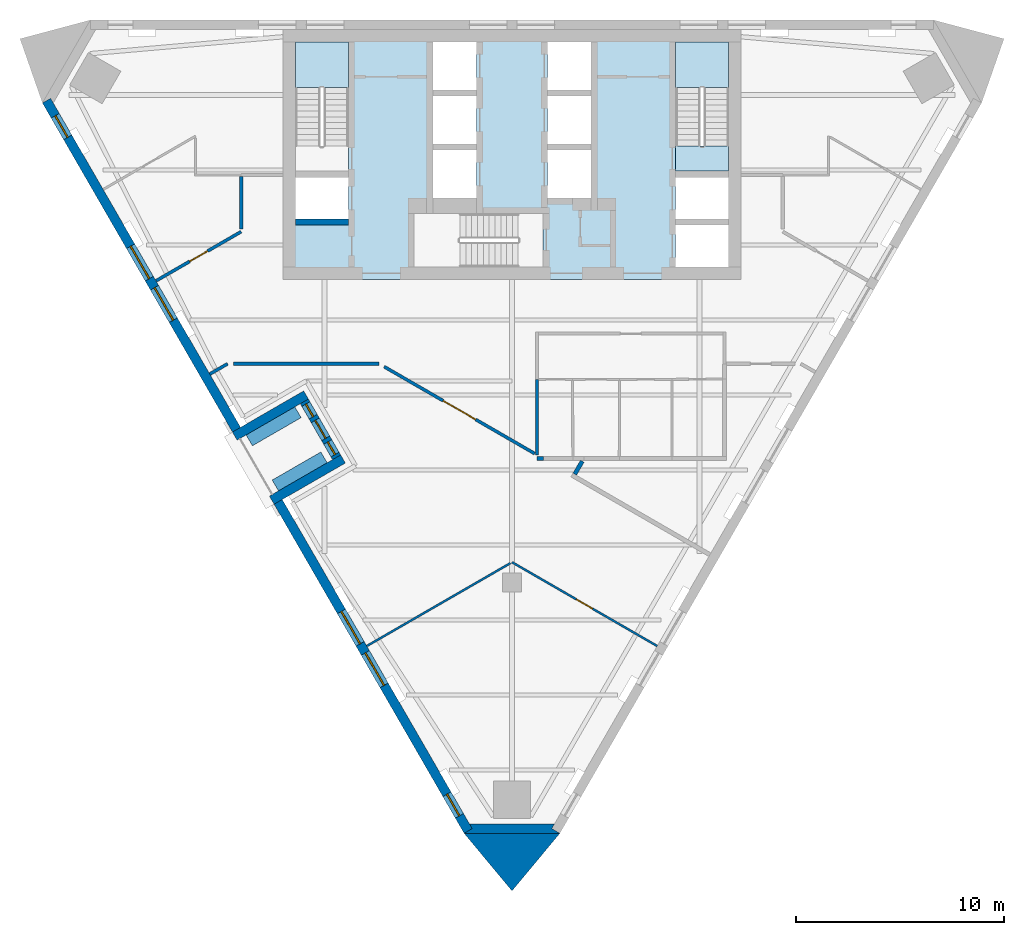
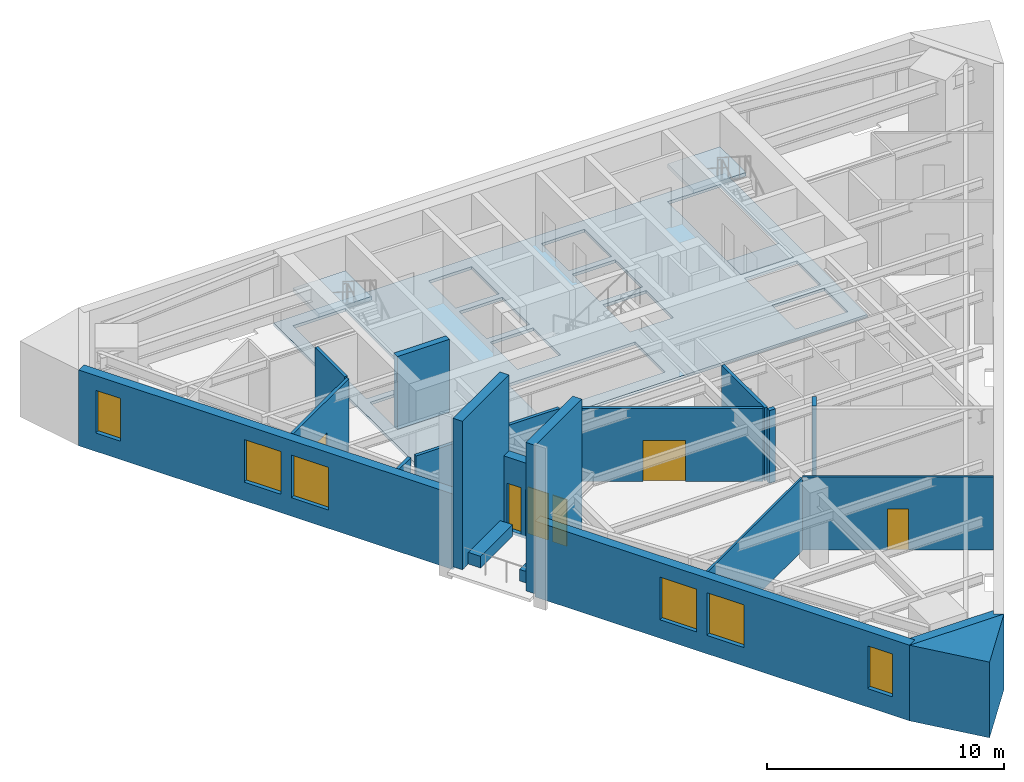
# One storey, part 2 of 7: 20 walls, 8 windows, 4 doors, 4 slabs, 12 openings, 2 elements without a shape of their own.
"""IFC4 building model written with IfcOpenShell, lengths in metres."""

from ifc_helpers import new_model, si_unit, direction, frame, frame_2d, origin, place, context, subcontext, project, spatial, polyline, rectangle, outline, extrude, material, layer, layer_set, type_object, element, fill, aggregate, save


model = new_model("IFC4")

# Units and contexts
model_context = context("Model", 3, precision=1e-05, world=origin(), true_north=direction((0.0, 1.0)))
body_context = subcontext(model_context, "Body", "Model", "MODEL_VIEW")
ifc_project = project(units=[si_unit("LENGTHUNIT", "METRE"), si_unit("AREAUNIT", "SQUARE_METRE"), si_unit("VOLUMEUNIT", "CUBIC_METRE"), si_unit("PLANEANGLEUNIT", "RADIAN"), si_unit("MASSUNIT", "GRAM", prefix="KILO")], contexts=[model_context])

# Site, building, storey
site_placement = place(None, origin())
site = spatial("IfcSite", under=ifc_project, at=site_placement, CompositionType="ELEMENT")
building_placement = place(site_placement, origin())
building = spatial("IfcBuilding", under=site, at=building_placement, Name="Aloe Facet Convention Tower", CompositionType="ELEMENT")
storey_placement = place(building_placement, frame((0.0, 0.0, 148.10009765625)))
storey = spatial("IfcBuildingStorey", under=building, at=storey_placement, Name="L37", CompositionType="ELEMENT", Elevation=148.10009765625)

# Slabs
ifc_material_1 = material(Name="Concrete C60/75", Category="concrete")
ifc_layer_1 = layer(ifc_material_1, 0.14990234375)
ifc_layer_set_1 = layer_set([ifc_layer_1], Name="CR-S-FLOOR150-C6075")
slab_type_1 = type_object("IfcSlabType", Name="CR-S-FLOOR150-C6075", PredefinedType="FLOOR", material=ifc_layer_set_1)
slab_1_placement = place(storey_placement, frame((0.0, 0.0, -0.150146484375)))
element("IfcSlab", 1, at=slab_1_placement, inside=storey, type_object=slab_type_1, Name="Core floor L37", PredefinedType="FLOOR", context=body_context, shape_type="SweptSolid", body=[
    extrude(outline(polyline([(71.85009765625, 134.550048828125), (72.75, 134.550048828125), (75.60009765625, 134.550048828125), (76.5, 134.550048828125), (78.0, 134.550048828125), (78.89990234375, 134.550048828125), (81.10009765625, 134.550048828125), (82.0, 134.550048828125), (83.5, 134.550048828125), (84.39990234375, 134.550048828125), (87.25, 134.550048828125), (88.14990234375, 134.550048828125), (91.0, 134.550048828125), (91.0, 128.050048828125), (91.0, 127.14990234375), (91.0, 125.75), (91.0, 124.85009765625), (91.0, 122.550048828125), (88.14990234375, 122.550048828125), (87.25, 122.550048828125), (85.300048828125, 122.550048828125), (84.39990234375, 122.550048828125), (82.10009765625, 122.550048828125), (81.199951171875, 122.550048828125), (75.60009765625, 122.550048828125), (74.699951171875, 122.550048828125), (72.75, 122.550048828125), (71.85009765625, 122.550048828125), (69.0, 122.550048828125), (69.0, 124.85009765625), (69.0, 125.75), (69.0, 127.14990234375), (69.0, 128.050048828125), (69.0, 134.550048828125), (71.85009765625, 134.550048828125)]), holes=[polyline([(80.298828125, 123.14990234375), (81.5, 123.14990234375), (81.5, 125.699951171875), (80.298828125, 125.699951171875), (75.300048828125, 125.699951171875), (75.300048828125, 123.14990234375), (80.298828125, 123.14990234375)]), polyline([(69.60009765625, 125.449951171875), (72.14990234375, 125.449951171875), (72.14990234375, 127.449951171875), (69.60009765625, 127.449951171875), (69.60009765625, 125.449951171875)]), polyline([(76.199951171875, 126.449951171875), (78.300048828125, 126.449951171875), (78.300048828125, 128.75), (76.199951171875, 128.75), (76.199951171875, 126.449951171875)]), polyline([(78.300048828125, 129.050048828125), (78.300048828125, 131.35009765625), (76.199951171875, 131.35009765625), (76.199951171875, 129.050048828125), (78.300048828125, 129.050048828125)]), polyline([(69.60009765625, 133.949951171875), (69.60009765625, 128.951171875), (69.60009765625, 127.75), (72.14990234375, 127.75), (72.14990234375, 128.951171875), (72.14990234375, 133.949951171875), (69.60009765625, 133.949951171875)]), polyline([(76.199951171875, 131.64990234375), (78.300048828125, 131.64990234375), (78.300048828125, 133.949951171875), (76.199951171875, 133.949951171875), (76.199951171875, 131.64990234375)]), polyline([(90.39990234375, 123.14990234375), (90.39990234375, 125.14990234375), (87.85009765625, 125.14990234375), (87.85009765625, 123.14990234375), (90.39990234375, 123.14990234375)]), polyline([(87.85009765625, 125.449951171875), (90.39990234375, 125.449951171875), (90.39990234375, 127.449951171875), (87.85009765625, 127.449951171875), (87.85009765625, 125.449951171875)]), polyline([(81.699951171875, 126.449951171875), (83.800048828125, 126.449951171875), (83.800048828125, 128.75), (81.699951171875, 128.75), (81.699951171875, 126.449951171875)]), polyline([(83.800048828125, 129.050048828125), (83.800048828125, 131.35009765625), (81.699951171875, 131.35009765625), (81.699951171875, 129.050048828125), (83.800048828125, 129.050048828125)]), polyline([(87.85009765625, 133.949951171875), (87.85009765625, 128.951171875), (87.85009765625, 127.75), (90.39990234375, 127.75), (90.39990234375, 128.951171875), (90.39990234375, 133.949951171875), (87.85009765625, 133.949951171875)]), polyline([(81.699951171875, 131.64990234375), (83.800048828125, 131.64990234375), (83.800048828125, 133.949951171875), (81.699951171875, 133.949951171875), (81.699951171875, 131.64990234375)])]), origin(), (0.0, 0.0, 1.0), 0.150146484375),
])
ifc_material_2 = material(Name="Concrete C60/75", Category="concrete")
ifc_layer_2 = layer(ifc_material_2, 0.300048828125)
ifc_layer_set_2 = layer_set([ifc_layer_2], Name="CR-S-FLOOR300-C6075")
slab_type_2 = type_object("IfcSlabType", Name="CR-S-FLOOR300-C6075", PredefinedType="FLOOR", material=ifc_layer_set_2)
slab_2_placement = place(storey_placement, frame((0.0, 0.0, -0.300048828125)))
element("IfcSlab", 2, at=slab_2_placement, inside=storey, type_object=slab_type_2, Name="Stair landing floor L37", PredefinedType="FLOOR", context=body_context, shape_type="SweptSolid", body=[
    extrude(outline(polyline([(90.39990234375, 127.75), (90.39990234375, 128.951171875), (87.85009765625, 128.951171875), (87.85009765625, 127.75), (90.39990234375, 127.75)])), origin(), (0.0, 0.0, 1.0), 0.300048828125),
])

# Stair, slab
ifc_material_3 = material(Name="Concrete C50/60", Category="concrete")
stair_type = type_object("IfcStairType", Name="CR-ST-22R", PredefinedType="HALF_TURN_STAIR", material=ifc_material_3)
stair_1_placement = place(storey_placement, origin())
stair_1 = element("IfcStair", 3, at=stair_1_placement, inside=storey, type_object=stair_type, Name="L37 Protected exit stair ST1", PredefinedType="HALF_TURN_STAIR")
ifc_material_4 = material(Name="Concrete C50/60", Category="concrete")
ifc_layer_3 = layer(ifc_material_4, 0.199951171875)
ifc_layer_set_3 = layer_set([ifc_layer_3], Name="CR-SL-LANDING")
slab_type_3 = type_object("IfcSlabType", Name="CR-SL-LANDING", PredefinedType="LANDING", material=ifc_layer_set_3)
slab_3_placement = place(storey_placement, frame((0.0, 0.0, 1.75)))
slab_3 = element("IfcSlab", 4, at=slab_3_placement, type_object=slab_type_3, Name="ST1 landing 1", PredefinedType="LANDING", context=body_context, shape_type="SweptSolid", body=[
    extrude(outline(polyline([(72.14990234375, 131.75), (72.14990234375, 133.949951171875), (69.60009765625, 133.949951171875), (69.60009765625, 131.75), (72.14990234375, 131.75)])), origin(), (0.0, 0.0, 1.0), 0.199951171875),
])
aggregate(stair_1, [slab_3])

stair_2_placement = place(storey_placement, origin())
stair_2 = element("IfcStair", 5, at=stair_2_placement, inside=storey, type_object=stair_type, Name="L37 Protected exit stair ST2", PredefinedType="HALF_TURN_STAIR")
slab_4_placement = place(storey_placement, frame((0.0, 0.0, 1.75)))
slab_4 = element("IfcSlab", 6, at=slab_4_placement, type_object=slab_type_3, Name="ST2 landing 1", PredefinedType="LANDING", context=body_context, shape_type="SweptSolid", body=[
    extrude(outline(polyline([(90.39990234375, 131.75), (90.39990234375, 133.949951171875), (87.85009765625, 133.949951171875), (87.85009765625, 131.75), (90.39990234375, 131.75)])), origin(), (0.0, 0.0, 1.0), 0.199951171875),
])
aggregate(stair_2, [slab_4])

# Walls
ifc_material_5 = material(Name="Concrete C60/75", Category="concrete")
ifc_layer_4 = layer(ifc_material_5, 0.300048828125)
ifc_layer_set_4 = layer_set([ifc_layer_4], Name="CR-W-RC300-C6075")
wall_type_1 = type_object("IfcWallType", Name="CR-W-RC300-C6075", PredefinedType="SOLIDWALL", material=ifc_layer_set_4)
wall_1_placement = place(storey_placement, frame((69.60009765625, 125.300048828125, 0.0), z_axis=(0.0, 0.0, 1.0), x_axis=(1.0, 0.0, 0.0)))
element("IfcWall", 7, at=wall_1_placement, inside=storey, type_object=wall_type_1, Name="Core wall L37-005", PredefinedType="SOLIDWALL", context=body_context, shape_type="SweptSolid", body=[
    extrude(rectangle(XDim=2.5498046875, YDim=0.300048828125, at=frame_2d((1.27490234375, 0.0))), origin(), (0.0, 0.0, 1.0), 3.75),
])
ifc_material_6 = material(Name="Precast concrete C40/50", Category="concrete")
ifc_layer_5 = layer(ifc_material_6, 0.60009765625)
ifc_layer_set_5 = layer_set([ifc_layer_5], Name="EV-PLANTER")
wall_type_2 = type_object("IfcWallType", Name="EV-PLANTER", PredefinedType="STANDARD", material=ifc_layer_set_5)
for number, where, z_axis, x_axis, name in (
    (8, (67.386474609375, 114.81787109375, 0.0), (0.0, 0.0, 1.0), (0.866059108428, 0.4999416173, 0.0), "PLANTER T08-1"),
    (9, (68.636474609375, 112.65283203125, 0.0), (0.0, 0.0, 1.0), (0.866059108428, 0.4999416173, 0.0), "PLANTER T08-2"),
):
    element("IfcWall", number, at=place(storey_placement, frame(where, z_axis=z_axis, x_axis=x_axis)), inside=storey, type_object=wall_type_2, Name=name, PredefinedType="STANDARD", context=body_context, shape_type="SweptSolid", body=[
        extrude(rectangle(XDim=2.699951171875, YDim=0.60009765625, at=frame_2d((1.35009765625, 0.0))), origin(), (0.0, 0.0, 1.0), 0.599853515625),
    ])
ifc_material_7 = material(Name="Precast concrete C40/50", Category="concrete")
ifc_layer_6 = layer(ifc_material_7, 0.449951171875)
ifc_layer_set_6 = layer_set([ifc_layer_6], Name="EV-WALL-PIER")
wall_type_3 = type_object("IfcWallType", Name="EV-WALL-PIER", PredefinedType="SOLIDWALL", material=ifc_layer_set_6)
wall_2_placement = place(storey_placement, frame((0.0, 0.0, -0.150146484375)))
element("IfcWall", 10, at=wall_2_placement, inside=storey, type_object=wall_type_3, Name="EP-L37-B", PredefinedType="SOLIDWALL", context=body_context, shape_type="SweptSolid", body=[
    extrude(outline(polyline([(77.699951171875, 95.954345703125), (78.089599609375, 96.17919921875), (77.959716796875, 96.404296875), (82.040283203125, 96.404296875), (81.910400390625, 96.17919921875), (82.300048828125, 95.954345703125), (77.699951171875, 95.954345703125)])), origin(), (0.0, 0.0, 1.0), 3.900146484375),
])
ifc_material_8 = material(Name="Precast concrete C40/50", Category="concrete")
ifc_layer_7 = layer(ifc_material_8, 3.947998046875)
ifc_layer_set_7 = layer_set([ifc_layer_7], Name="EV-WALL-SPINE")
wall_type_4 = type_object("IfcWallType", Name="EV-WALL-SPINE", PredefinedType="SOLIDWALL", material=ifc_layer_set_7)
wall_3_placement = place(storey_placement, frame((0.0, 0.0, -0.150146484375)))
element("IfcWall", 11, at=wall_3_placement, inside=storey, type_object=wall_type_4, Name="SP-S-L37", PredefinedType="SOLIDWALL", context=body_context, shape_type="SweptSolid", body=[
    extrude(outline(polyline([(77.699951171875, 95.954345703125), (80.0, 93.18701171875), (82.300048828125, 95.954345703125), (77.699951171875, 95.954345703125)])), origin(), (0.0, 0.0, 1.0), 3.900146484375),
])

# Wall, openings, windows
ifc_material_9 = material(Name="Precast concrete C40/50", Category="concrete")
ifc_layer_8 = layer(ifc_material_9, 0.449951171875)
ifc_layer_set_8 = layer_set([ifc_layer_8], Name="EV-WALL-STONE")
wall_type_5 = type_object("IfcWallType", Name="EV-WALL-STONE", PredefinedType="SOLIDWALL", material=ifc_layer_set_8)
wall_4_placement = place(storey_placement, frame((57.65185546875, 131.128662109375, -0.150146484375), z_axis=(0.0, 0.0, 1.0), x_axis=(0.50000511266, -0.866022451969, 0.0)))
wall_4 = element("IfcWall", 12, at=wall_4_placement, inside=storey, type_object=wall_type_5, Name="EW-L37-W01", PredefinedType="SOLIDWALL", context=body_context, shape_type="SweptSolid", body=[
    extrude(outline(polyline([(0.0, 0.0), (0.0, 3.900146484375), (18.2431640625, 3.900146484375), (18.2431640625, 0.0), (0.0, 0.0)])), frame((0.0, 0.22509765625, 0.0), z_axis=(0.0, -1.0, 0.0), x_axis=(1.0, 0.0, 0.0)), (0.0, 0.0, 1.0), 0.449951171875),
])
opening_1_placement = place(wall_4_placement, frame((0.83740234375, 0.0, 0.949951171875)))
opening_1 = element("IfcOpeningElement", 13, at=opening_1_placement, cuts=wall_4, Name="Opening W-L37-W01", PredefinedType="OPENING", context=body_context, shape_type="SweptSolid", body=[
    extrude(rectangle(XDim=1.199951171875, YDim=2.199951171875, at=frame_2d((0.60009765625, 1.10009765625))), frame((0.0, 0.23486328125, 0.0), z_axis=(0.0, -1.0, 0.0), x_axis=(1.0, 0.0, 0.0)), (0.0, 0.0, 1.0), 0.469970703125),
])
opening_2_placement = place(wall_4_placement, frame((8.071533203125, 0.0, 0.949951171875)))
opening_2 = element("IfcOpeningElement", 14, at=opening_2_placement, cuts=wall_4, Name="Opening W-L37-W02", PredefinedType="OPENING", context=body_context, shape_type="SweptSolid", body=[
    extrude(rectangle(XDim=1.800048828125, YDim=2.199951171875, at=frame_2d((0.89990234375, 1.10009765625))), frame((0.0, 0.23486328125, 0.0), z_axis=(0.0, -1.0, 0.0), x_axis=(1.0, 0.0, 0.0)), (0.0, 0.0, 1.0), 0.469970703125),
])
opening_3_placement = place(wall_4_placement, frame((10.37158203125, 0.0, 0.949951171875)))
opening_3 = element("IfcOpeningElement", 15, at=opening_3_placement, cuts=wall_4, Name="Opening W-L37-W03", PredefinedType="OPENING", context=body_context, shape_type="SweptSolid", body=[
    extrude(rectangle(XDim=1.800048828125, YDim=2.199951171875, at=frame_2d((0.89990234375, 1.10009765625))), frame((0.0, 0.23486328125, 0.0), z_axis=(0.0, -1.0, 0.0), x_axis=(1.0, 0.0, 0.0)), (0.0, 0.0, 1.0), 0.469970703125),
])
ifc_material_10 = material(Name="Aluminium frame, clear double glazing", Category="aluminium")
window_type_1 = type_object("IfcWindowType", Name="EV-WIN-O12", PartitioningType="SINGLE_PANEL", PredefinedType="WINDOW", material=ifc_material_10)
window_1_placement = place(opening_1_placement, origin())
window_1 = element("IfcWindow", 16, at=window_1_placement, inside=storey, type_object=window_type_1, Name="W-L37-W01", OverallHeight=2.199951171875, OverallWidth=1.199951171875, PartitioningType="SINGLE_PANEL", PredefinedType="WINDOW", context=body_context, shape_type="SweptSolid", body=[
    extrude(rectangle(XDim=1.199951171875, YDim=2.199951171875, at=frame_2d((0.60009765625, 1.10009765625))), frame((0.0, 0.030029296875, 0.0), z_axis=(0.0, -1.0, 0.0), x_axis=(1.0, 0.0, 0.0)), (0.0, 0.0, 1.0), 0.06005859375),
])
fill(opening_1, window_1)
ifc_material_11 = material(Name="Aluminium frame, clear double glazing", Category="aluminium")
window_type_2 = type_object("IfcWindowType", Name="EV-WIN-O18", PartitioningType="SINGLE_PANEL", PredefinedType="WINDOW", material=ifc_material_11)
window_2_placement = place(opening_2_placement, origin())
window_2 = element("IfcWindow", 17, at=window_2_placement, inside=storey, type_object=window_type_2, Name="W-L37-W02", OverallHeight=2.199951171875, OverallWidth=1.800048828125, PartitioningType="SINGLE_PANEL", PredefinedType="WINDOW", context=body_context, shape_type="SweptSolid", body=[
    extrude(rectangle(XDim=1.800048828125, YDim=2.199951171875, at=frame_2d((0.89990234375, 1.10009765625))), frame((0.0, 0.030029296875, 0.0), z_axis=(0.0, -1.0, 0.0), x_axis=(1.0, 0.0, 0.0)), (0.0, 0.0, 1.0), 0.06005859375),
])
fill(opening_2, window_2)
window_3_placement = place(opening_3_placement, origin())
window_3 = element("IfcWindow", 18, at=window_3_placement, inside=storey, type_object=window_type_2, Name="W-L37-W03", OverallHeight=2.199951171875, OverallWidth=1.800048828125, PartitioningType="SINGLE_PANEL", PredefinedType="WINDOW", context=body_context, shape_type="SweptSolid", body=[
    extrude(rectangle(XDim=1.800048828125, YDim=2.199951171875, at=frame_2d((0.89990234375, 1.10009765625))), frame((0.0, 0.030029296875, 0.0), z_axis=(0.0, -1.0, 0.0), x_axis=(1.0, 0.0, 0.0)), (0.0, 0.0, 1.0), 0.06005859375),
])
fill(opening_3, window_3)

wall_5_placement = place(storey_placement, frame((68.7734375, 111.86572265625, -0.150146484375), z_axis=(0.0, 0.0, 1.0), x_axis=(0.499989280757, -0.866031592454, 0.0)))
wall_5 = element("IfcWall", 19, at=wall_5_placement, inside=storey, type_object=wall_type_5, Name="EW-L37-W02", PredefinedType="SOLIDWALL", context=body_context, shape_type="SweptSolid", body=[
    extrude(outline(polyline([(18.2431640625, 3.900146484375), (18.2431640625, 0.0), (0.0, 0.0), (0.0, 3.900146484375), (18.2431640625, 3.900146484375)])), frame((0.0, 0.22509765625, 0.0), z_axis=(0.0, -1.0, 0.0), x_axis=(1.0, 0.0, 0.0)), (0.0, 0.0, 1.0), 0.449951171875),
])
opening_4_placement = place(wall_5_placement, frame((6.071533203125, 0.0, 0.949951171875)))
opening_4 = element("IfcOpeningElement", 20, at=opening_4_placement, cuts=wall_5, Name="Opening W-L37-W04", PredefinedType="OPENING", context=body_context, shape_type="SweptSolid", body=[
    extrude(rectangle(XDim=1.800048828125, YDim=2.199951171875, at=frame_2d((0.89990234375, 1.10009765625))), frame((0.0, 0.23486328125, 0.0), z_axis=(0.0, -1.0, 0.0), x_axis=(1.0, 0.0, 0.0)), (0.0, 0.0, 1.0), 0.469970703125),
])
opening_5_placement = place(wall_5_placement, frame((8.37158203125, 0.0, 0.949951171875)))
opening_5 = element("IfcOpeningElement", 21, at=opening_5_placement, cuts=wall_5, Name="Opening W-L37-W05", PredefinedType="OPENING", context=body_context, shape_type="SweptSolid", body=[
    extrude(rectangle(XDim=1.800048828125, YDim=2.199951171875, at=frame_2d((0.89990234375, 1.10009765625))), frame((0.0, 0.23486328125, 0.0), z_axis=(0.0, -1.0, 0.0), x_axis=(1.0, 0.0, 0.0)), (0.0, 0.0, 1.0), 0.469970703125),
])
opening_6_placement = place(wall_5_placement, frame((16.205810546875, 0.0, 0.949951171875)))
opening_6 = element("IfcOpeningElement", 22, at=opening_6_placement, cuts=wall_5, Name="Opening W-L37-W06", PredefinedType="OPENING", context=body_context, shape_type="SweptSolid", body=[
    extrude(rectangle(XDim=1.199951171875, YDim=2.199951171875, at=frame_2d((0.60009765625, 1.10009765625))), frame((0.0, 0.23486328125, 0.0), z_axis=(0.0, -1.0, 0.0), x_axis=(1.0, 0.0, 0.0)), (0.0, 0.0, 1.0), 0.469970703125),
])
window_4_placement = place(opening_6_placement, origin())
window_4 = element("IfcWindow", 23, at=window_4_placement, inside=storey, type_object=window_type_1, Name="W-L37-W06", OverallHeight=2.199951171875, OverallWidth=1.199951171875, PartitioningType="SINGLE_PANEL", PredefinedType="WINDOW", context=body_context, shape_type="SweptSolid", body=[
    extrude(rectangle(XDim=1.199951171875, YDim=2.199951171875, at=frame_2d((0.60009765625, 1.10009765625))), frame((0.0, 0.030029296875, 0.0), z_axis=(0.0, -1.0, 0.0), x_axis=(1.0, 0.0, 0.0)), (0.0, 0.0, 1.0), 0.06005859375),
])
fill(opening_6, window_4)
window_5_placement = place(opening_4_placement, origin())
window_5 = element("IfcWindow", 24, at=window_5_placement, inside=storey, type_object=window_type_2, Name="W-L37-W04", OverallHeight=2.199951171875, OverallWidth=1.800048828125, PartitioningType="SINGLE_PANEL", PredefinedType="WINDOW", context=body_context, shape_type="SweptSolid", body=[
    extrude(rectangle(XDim=1.800048828125, YDim=2.199951171875, at=frame_2d((0.89990234375, 1.10009765625))), frame((0.0, 0.030029296875, 0.0), z_axis=(0.0, -1.0, 0.0), x_axis=(1.0, 0.0, 0.0)), (0.0, 0.0, 1.0), 0.06005859375),
])
fill(opening_4, window_5)
window_6_placement = place(opening_5_placement, origin())
window_6 = element("IfcWindow", 25, at=window_6_placement, inside=storey, type_object=window_type_2, Name="W-L37-W05", OverallHeight=2.199951171875, OverallWidth=1.800048828125, PartitioningType="SINGLE_PANEL", PredefinedType="WINDOW", context=body_context, shape_type="SweptSolid", body=[
    extrude(rectangle(XDim=1.800048828125, YDim=2.199951171875, at=frame_2d((0.89990234375, 1.10009765625))), frame((0.0, 0.030029296875, 0.0), z_axis=(0.0, -1.0, 0.0), x_axis=(1.0, 0.0, 0.0)), (0.0, 0.0, 1.0), 0.06005859375),
])
fill(opening_5, window_6)

# Walls
wall_6_placement = place(storey_placement, frame((66.69091796875, 115.0224609375, 0.0), z_axis=(0.0, 0.0, 1.0), x_axis=(0.866020906874, 0.500007788796, 0.0)))
element("IfcWall", 26, at=wall_6_placement, inside=storey, type_object=wall_type_5, Name="TW-T08-1", PredefinedType="SOLIDWALL", context=body_context, shape_type="SweptSolid", body=[
    extrude(rectangle(XDim=3.9501953125, YDim=0.449951171875, at=frame_2d((1.97509765625, 0.0))), origin(), (0.0, 0.0, 1.0), 7.64990234375),
])
wall_7_placement = place(storey_placement, frame((68.466064453125, 111.947998046875, 0.0), z_axis=(0.0, 0.0, 1.0), x_axis=(0.866005453737, 0.500034552904, 0.0)))
element("IfcWall", 27, at=wall_7_placement, inside=storey, type_object=wall_type_5, Name="TW-T08-2", PredefinedType="SOLIDWALL", context=body_context, shape_type="SweptSolid", body=[
    extrude(rectangle(XDim=3.949951171875, YDim=0.449951171875, at=frame_2d((1.97509765625, 0.0))), origin(), (0.0, 0.0, 1.0), 7.64990234375),
])

# Wall, openings, door, windows
wall_8_placement = place(storey_placement, frame((70.029296875, 116.690185546875, -0.150146484375), z_axis=(0.0, 0.0, 1.0), x_axis=(0.49999285859, -0.86602952684, 0.0)))
wall_8 = element("IfcWall", 28, at=wall_8_placement, inside=storey, type_object=wall_type_5, Name="TB-T08-L37", PredefinedType="SOLIDWALL", context=body_context, shape_type="SweptSolid", body=[
    extrude(rectangle(XDim=3.10009765625, YDim=0.449951171875, at=frame_2d((1.550048828125, 0.0))), origin(), (0.0, 0.0, 1.0), 3.900146484375),
])
opening_7_placement = place(wall_8_placement, frame((1.050048828125, 0.0, 0.14990234375)))
opening_7 = element("IfcOpeningElement", 29, at=opening_7_placement, cuts=wall_8, Name="Opening D-T08", PredefinedType="OPENING", context=body_context, shape_type="SweptSolid", body=[
    extrude(rectangle(XDim=1.0, YDim=2.39990234375, at=frame_2d((0.5, 1.199951171875))), frame((0.0, 0.23486328125, 0.0), z_axis=(0.0, -1.0, 0.0), x_axis=(1.0, 0.0, 0.0)), (0.0, 0.0, 1.0), 0.469970703125),
])
opening_8_placement = place(wall_8_placement, frame((0.14990234375, 0.0, 0.14990234375)))
opening_8 = element("IfcOpeningElement", 30, at=opening_8_placement, cuts=wall_8, Name="Opening G-T08-1", PredefinedType="OPENING", context=body_context, shape_type="SweptSolid", body=[
    extrude(rectangle(XDim=0.699951171875, YDim=2.39990234375, at=frame_2d((0.35009765625, 1.199951171875))), frame((0.0, 0.23486328125, 0.0), z_axis=(0.0, -1.0, 0.0), x_axis=(1.0, 0.0, 0.0)), (0.0, 0.0, 1.0), 0.469970703125),
])
opening_9_placement = place(wall_8_placement, frame((2.25, 0.0, 0.14990234375)))
opening_9 = element("IfcOpeningElement", 31, at=opening_9_placement, cuts=wall_8, Name="Opening G-T08-2", PredefinedType="OPENING", context=body_context, shape_type="SweptSolid", body=[
    extrude(rectangle(XDim=0.699951171875, YDim=2.39990234375, at=frame_2d((0.35009765625, 1.199951171875))), frame((0.0, 0.23486328125, 0.0), z_axis=(0.0, -1.0, 0.0), x_axis=(1.0, 0.0, 0.0)), (0.0, 0.0, 1.0), 0.469970703125),
])
ifc_material_12 = material(Name="Aluminium frame, clear double glazing", Category="aluminium")
door_type_1 = type_object("IfcDoorType", Name="EV-DOOR-TERR", OperationType="SINGLE_SWING_LEFT", PredefinedType="DOOR", material=ifc_material_12)
door_1_placement = place(opening_7_placement, origin())
door_1 = element("IfcDoor", 32, at=door_1_placement, inside=storey, type_object=door_type_1, Name="D-T08", OperationType="SINGLE_SWING_LEFT", OverallHeight=2.39990234375, OverallWidth=1.0, PredefinedType="DOOR", context=body_context, shape_type="SweptSolid", body=[
    extrude(rectangle(XDim=1.0, YDim=2.39990234375, at=frame_2d((0.5, 1.199951171875))), frame((0.0, 0.02490234375, 0.0), z_axis=(0.0, -1.0, 0.0), x_axis=(1.0, 0.0, 0.0)), (0.0, 0.0, 1.0), 0.050048828125),
])
fill(opening_7, door_1)
ifc_material_13 = material(Name="Aluminium frame, clear double glazing", Category="aluminium")
window_type_3 = type_object("IfcWindowType", Name="EV-WIN-SL70", PartitioningType="SINGLE_PANEL", PredefinedType="WINDOW", material=ifc_material_13)
window_7_placement = place(opening_8_placement, origin())
window_7 = element("IfcWindow", 33, at=window_7_placement, inside=storey, type_object=window_type_3, Name="G-T08-1", OverallHeight=2.39990234375, OverallWidth=0.699951171875, PartitioningType="SINGLE_PANEL", PredefinedType="WINDOW", context=body_context, shape_type="SweptSolid", body=[
    extrude(rectangle(XDim=0.699951171875, YDim=2.39990234375, at=frame_2d((0.35009765625, 1.199951171875))), frame((0.0, 0.030029296875, 0.0), z_axis=(0.0, -1.0, 0.0), x_axis=(1.0, 0.0, 0.0)), (0.0, 0.0, 1.0), 0.06005859375),
])
fill(opening_8, window_7)
window_8_placement = place(opening_9_placement, origin())
window_8 = element("IfcWindow", 34, at=window_8_placement, inside=storey, type_object=window_type_3, Name="G-T08-2", OverallHeight=2.39990234375, OverallWidth=0.699951171875, PartitioningType="SINGLE_PANEL", PredefinedType="WINDOW", context=body_context, shape_type="SweptSolid", body=[
    extrude(rectangle(XDim=0.699951171875, YDim=2.39990234375, at=frame_2d((0.35009765625, 1.199951171875))), frame((0.0, 0.030029296875, 0.0), z_axis=(0.0, -1.0, 0.0), x_axis=(1.0, 0.0, 0.0)), (0.0, 0.0, 1.0), 0.06005859375),
])
fill(opening_9, window_8)

# Walls
ifc_material_14 = material(Name="Gypsum board partition on steel studs", Category="steel")
ifc_layer_9 = layer(ifc_material_14, 0.14990234375)
ifc_layer_set_9 = layer_set([ifc_layer_9], Name="IN-W-CORR")
wall_type_6 = type_object("IfcWallType", Name="IN-W-CORR", PredefinedType="PARTITIONING", material=ifc_layer_set_9)
wall_9_placement = place(storey_placement, frame((81.199951171875, 114.120361328125, 0.0), z_axis=(0.0, 0.0, 1.0), x_axis=(0.0, 1.0, 0.0)))
element("IfcWall", 35, at=wall_9_placement, inside=storey, type_object=wall_type_6, Name="Partition L37-W021", PredefinedType="PARTITIONING", context=body_context, shape_type="SweptSolid", body=[
    extrude(rectangle(XDim=3.629638671875, YDim=0.14990234375, at=frame_2d((1.81494140625, 0.0))), origin(), (0.0, 0.0, 1.0), 3.75),
])
wall_10_placement = place(storey_placement, frame((65.490966796875, 118.000732421875, 0.0), z_axis=(0.0, 0.0, 1.0), x_axis=(0.866017078145, 0.500014420154, 0.0)))
element("IfcWall", 36, at=wall_10_placement, inside=storey, type_object=wall_type_6, Name="Partition L37-W022", PredefinedType="PARTITIONING", context=body_context, shape_type="SweptSolid", body=[
    extrude(rectangle(XDim=0.9892578125, YDim=0.14990234375, at=frame_2d((0.49462890625, 0.0))), origin(), (0.0, 0.0, 1.0), 3.75),
])
wall_11_placement = place(storey_placement, frame((66.62744140625, 118.495361328125, 0.0), z_axis=(0.0, 0.0, 1.0), x_axis=(1.0, 0.0, 0.0)))
element("IfcWall", 37, at=wall_11_placement, inside=storey, type_object=wall_type_6, Name="Partition L37-W024", PredefinedType="PARTITIONING", context=body_context, shape_type="SweptSolid", body=[
    extrude(rectangle(XDim=6.994873046875, YDim=0.14990234375, at=frame_2d((3.49755859375, 0.0))), origin(), (0.0, 0.0, 1.0), 3.75),
])

# Wall, opening, door
wall_12_placement = place(storey_placement, frame((73.864501953125, 118.35546875, 0.0), z_axis=(0.0, 0.0, 1.0), x_axis=(0.866024234027, -0.500002026074, 0.0)))
wall_12 = element("IfcWall", 38, at=wall_12_placement, inside=storey, type_object=wall_type_6, Name="Partition L37-W025", PredefinedType="PARTITIONING", context=body_context, shape_type="SweptSolid", body=[
    extrude(rectangle(XDim=8.34033203125, YDim=0.14990234375, at=frame_2d((4.170166015625, 0.0))), origin(), (0.0, 0.0, 1.0), 3.75),
])
opening_10_placement = place(wall_12_placement, frame((3.27001953125, 0.0, 0.0)))
opening_10 = element("IfcOpeningElement", 39, at=opening_10_placement, cuts=wall_12, Name="Opening L37-012", PredefinedType="OPENING", context=body_context, shape_type="SweptSolid", body=[
    extrude(rectangle(XDim=1.800048828125, YDim=2.10009765625, at=frame_2d((0.89990234375, 1.050048828125))), frame((0.0, 0.0849609375, 0.0), z_axis=(0.0, -1.0, 0.0), x_axis=(1.0, 0.0, 0.0)), (0.0, 0.0, 1.0), 0.169921875),
])
ifc_material_15 = material(Name="Glazed timber door pair FD30S", Category="wood")
door_type_2 = type_object("IfcDoorType", Name="IN-OFF-D-SUITE", OperationType="DOUBLE_DOOR_SINGLE_SWING", PredefinedType="DOOR", material=ifc_material_15)
door_2_placement = place(opening_10_placement, origin())
door_2 = element("IfcDoor", 40, at=door_2_placement, inside=storey, type_object=door_type_2, Name="Door L37-012", OperationType="SINGLE_SWING_LEFT", OverallHeight=2.10009765625, OverallWidth=1.800048828125, PredefinedType="DOOR", context=body_context, shape_type="SweptSolid", body=[
    extrude(rectangle(XDim=1.800048828125, YDim=2.10009765625, at=frame_2d((0.89990234375, 1.050048828125))), frame((0.0, 0.02490234375, 0.0), z_axis=(0.0, -1.0, 0.0), x_axis=(1.0, 0.0, 0.0)), (0.0, 0.0, 1.0), 0.050048828125),
])
fill(opening_10, door_2)

wall_13_placement = place(storey_placement, frame((62.916015625, 122.480712890625, 0.0), z_axis=(0.0, 0.0, 1.0), x_axis=(0.866016566931, 0.500015305566, 0.0)))
wall_13 = element("IfcWall", 41, at=wall_13_placement, inside=storey, type_object=wall_type_6, Name="Partition L37-W030", PredefinedType="PARTITIONING", context=body_context, shape_type="SweptSolid", body=[
    extrude(rectangle(XDim=4.714599609375, YDim=0.14990234375, at=frame_2d((2.357421875, 0.0))), origin(), (0.0, 0.0, 1.0), 3.75),
])
opening_11_placement = place(wall_13_placement, frame((1.857177734375, 0.0, 0.0)))
opening_11 = element("IfcOpeningElement", 42, at=opening_11_placement, cuts=wall_13, Name="Opening L37-008", PredefinedType="OPENING", context=body_context, shape_type="SweptSolid", body=[
    extrude(rectangle(XDim=1.0, YDim=2.10009765625, at=frame_2d((0.5, 1.050048828125))), frame((0.0, 0.0849609375, 0.0), z_axis=(0.0, -1.0, 0.0), x_axis=(1.0, 0.0, 0.0)), (0.0, 0.0, 1.0), 0.169921875),
])
ifc_material_16 = material(Name="Timber door FD30S with vision panel", Category="wood")
door_type_3 = type_object("IfcDoorType", Name="IN-OFF-D-ENTRY", OperationType="SINGLE_SWING_LEFT", PredefinedType="DOOR", material=ifc_material_16)
door_3_placement = place(opening_11_placement, origin())
door_3 = element("IfcDoor", 43, at=door_3_placement, inside=storey, type_object=door_type_3, Name="Door L37-008", OperationType="SINGLE_SWING_LEFT", OverallHeight=2.10009765625, OverallWidth=1.0, PredefinedType="DOOR", context=body_context, shape_type="SweptSolid", body=[
    extrude(rectangle(XDim=1.0, YDim=2.10009765625, at=frame_2d((0.5, 1.050048828125))), frame((0.0, 0.02490234375, 0.0), z_axis=(0.0, -1.0, 0.0), x_axis=(1.0, 0.0, 0.0)), (0.0, 0.0, 1.0), 0.050048828125),
])
fill(opening_11, door_3)

# Wall
wall_14_placement = place(storey_placement, frame((66.9990234375, 124.968017578125, 0.0), z_axis=(0.0, 0.0, 1.0), x_axis=(0.000389559768, 0.999999924122, 0.0)))
element("IfcWall", 44, at=wall_14_placement, inside=storey, type_object=wall_type_6, Name="Partition L37-W032", PredefinedType="PARTITIONING", context=body_context, shape_type="SweptSolid", body=[
    extrude(rectangle(XDim=2.5068359375, YDim=0.14990234375, at=frame_2d((1.25341796875, 0.0))), origin(), (0.0, 0.0, 1.0), 3.75),
])

# Wall, opening, door
ifc_material_17 = material(Name="Gypsum board partition on steel studs", Category="steel")
ifc_layer_10 = layer(ifc_material_17, 0.10009765625)
ifc_layer_set_10 = layer_set([ifc_layer_10], Name="IN-W-PART")
wall_type_7 = type_object("IfcWallType", Name="IN-W-PART", PredefinedType="PARTITIONING", material=ifc_layer_set_10)
wall_15_placement = place(storey_placement, frame((80.0009765625, 108.968994140625, 0.0), z_axis=(0.0, 0.0, 1.0), x_axis=(0.866022419898, -0.500005168208, 0.0)))
wall_15 = element("IfcWall", 45, at=wall_15_placement, inside=storey, type_object=wall_type_7, Name="Partition L37-W001", PredefinedType="PARTITIONING", context=body_context, shape_type="SweptSolid", body=[
    extrude(rectangle(XDim=8.04833984375, YDim=0.10009765625, at=frame_2d((4.024169921875, 0.0))), origin(), (0.0, 0.0, 1.0), 3.75),
])
opening_12_placement = place(wall_15_placement, frame((3.57421875, 0.0, 0.0)))
opening_12 = element("IfcOpeningElement", 46, at=opening_12_placement, cuts=wall_15, Name="Opening L37-011", PredefinedType="OPENING", context=body_context, shape_type="SweptSolid", body=[
    extrude(rectangle(XDim=0.89990234375, YDim=2.10009765625, at=frame_2d((0.449951171875, 1.050048828125))), frame((0.0, 0.06005859375, 0.0), z_axis=(0.0, -1.0, 0.0), x_axis=(1.0, 0.0, 0.0)), (0.0, 0.0, 1.0), 0.1201171875),
])
ifc_material_18 = material(Name="Timber door", Category="wood")
door_type_4 = type_object("IfcDoorType", Name="IN-OFF-D-ROOM", OperationType="SINGLE_SWING_LEFT", PredefinedType="DOOR", material=ifc_material_18)
door_4_placement = place(opening_12_placement, origin())
door_4 = element("IfcDoor", 47, at=door_4_placement, inside=storey, type_object=door_type_4, Name="Door L37-011", OperationType="SINGLE_SWING_LEFT", OverallHeight=2.10009765625, OverallWidth=0.89990234375, PredefinedType="DOOR", context=body_context, shape_type="SweptSolid", body=[
    extrude(rectangle(XDim=0.89990234375, YDim=2.10009765625, at=frame_2d((0.449951171875, 1.050048828125))), frame((0.0, 0.02490234375, 0.0), z_axis=(0.0, -1.0, 0.0), x_axis=(1.0, 0.0, 0.0)), (0.0, 0.0, 1.0), 0.050048828125),
])
fill(opening_12, door_4)

# Walls
wall_16_placement = place(storey_placement, frame((73.03076171875, 104.94580078125, 0.0), z_axis=(0.0, 0.0, 1.0), x_axis=(0.866093165525, 0.499882614851, 0.0)))
element("IfcWall", 48, at=wall_16_placement, inside=storey, type_object=wall_type_7, Name="Partition L37-W002", PredefinedType="PARTITIONING", context=body_context, shape_type="SweptSolid", body=[
    extrude(rectangle(XDim=7.96142578125, YDim=0.10009765625, at=frame_2d((3.980712890625, 0.0))), origin(), (0.0, 0.0, 1.0), 3.75),
])
ifc_material_19 = material(Name="Gypsum board partition on steel studs", Category="steel")
ifc_layer_11 = layer(ifc_material_19, 0.199951171875)
ifc_layer_set_11 = layer_set([ifc_layer_11], Name="IN-W-PARTY")
wall_type_8 = type_object("IfcWallType", Name="IN-W-PARTY", PredefinedType="PARTITIONING", material=ifc_layer_set_11)
wall_17_placement = place(storey_placement, frame((83.0166015625, 113.198486328125, 0.0), z_axis=(0.0, 0.0, 1.0), x_axis=(0.498606139328, 0.866828655401, 0.0)))
element("IfcWall", 49, at=wall_17_placement, inside=storey, type_object=wall_type_8, Name="Partition L37-W006", PredefinedType="PARTITIONING", context=body_context, shape_type="SweptSolid", body=[
    extrude(rectangle(XDim=0.71337890625, YDim=0.199951171875, at=frame_2d((0.356689453125, 0.0))), origin(), (0.0, 0.0, 1.0), 3.75),
])
wall_18_placement = place(storey_placement, frame((81.201904296875, 113.949951171875, 0.0), z_axis=(0.0, 0.0, 1.0), x_axis=(0.999953701233, -0.009622649892, 0.0)))
element("IfcWall", 50, at=wall_18_placement, inside=storey, type_object=wall_type_8, Name="Partition L37-W007", PredefinedType="PARTITIONING", context=body_context, shape_type="SweptSolid", body=[
    extrude(rectangle(XDim=0.304443359375, YDim=0.199951171875, at=frame_2d((0.15234375, 0.0))), origin(), (0.0, 0.0, 1.0), 3.75),
])

save(model, "model.ifc")
